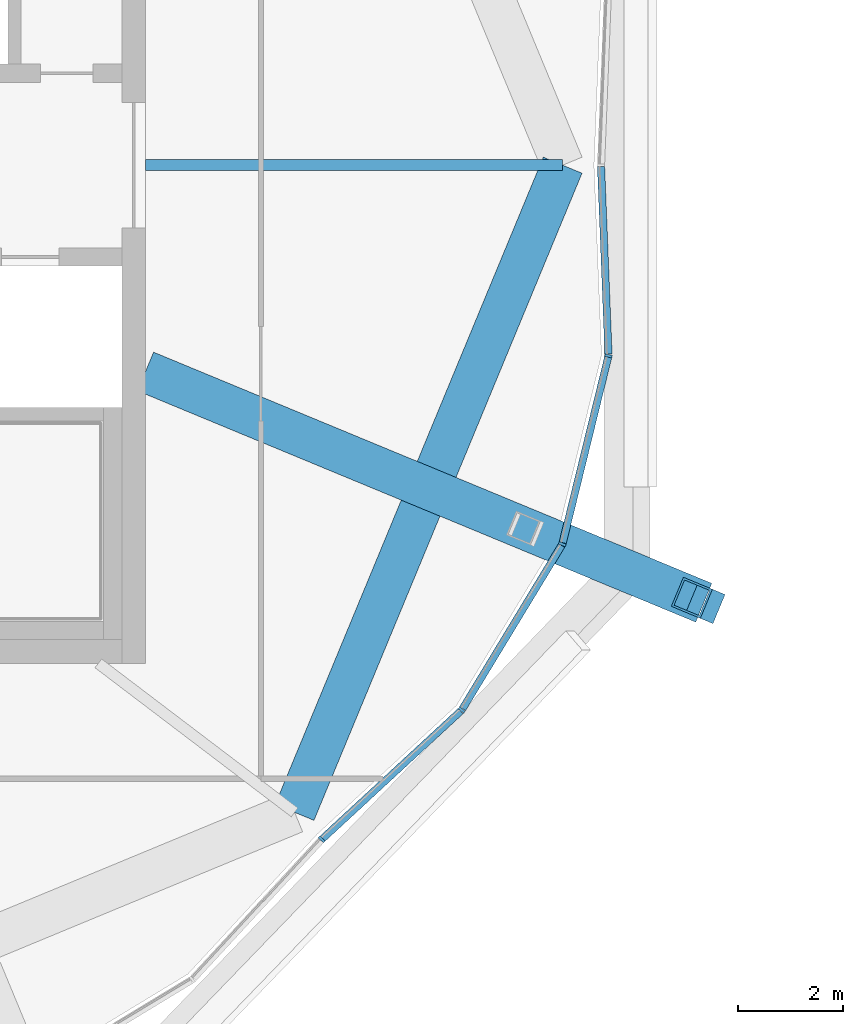
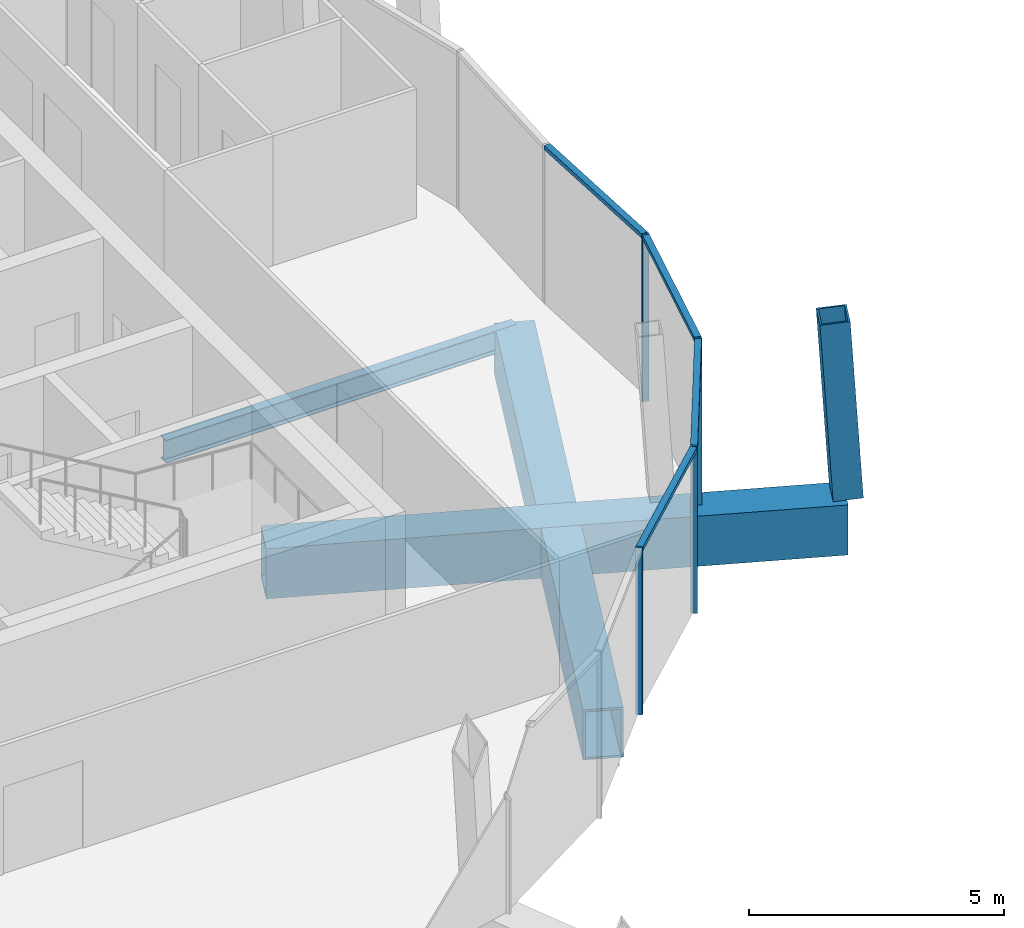
# One storey, part 7 of 34: 9 members, 3 beams, 3 elements without a shape of their own.
"""IFC4 building model written with IfcOpenShell, lengths in metres."""

from ifc_helpers import new_model, si_unit, direction, frame, origin, origin_2d, place, context, subcontext, project, spatial, rectangle, hollow_rectangle, i_section, extrude, material, material_profile, profile_set, type_object, element, aggregate, save


model = new_model("IFC4")

# Units and contexts
model_context = context("Model", 3, precision=1e-05, world=origin(), true_north=direction((0.0, 1.0)))
body_context = subcontext(model_context, "Body", "Model", "MODEL_VIEW")
ifc_project = project(units=[si_unit("LENGTHUNIT", "METRE"), si_unit("AREAUNIT", "SQUARE_METRE"), si_unit("VOLUMEUNIT", "CUBIC_METRE"), si_unit("PLANEANGLEUNIT", "RADIAN"), si_unit("MASSUNIT", "GRAM", prefix="KILO")], contexts=[model_context])

# Site, building, storey
site_placement = place(None, origin())
site = spatial("IfcSite", under=ifc_project, at=site_placement, CompositionType="ELEMENT")
building_placement = place(site_placement, origin())
building = spatial("IfcBuilding", under=site, at=building_placement, Name="Ogive Gate Towers", CompositionType="ELEMENT")
storey_placement = place(building_placement, frame((0.0, 0.0, 294.0)))
storey = spatial("IfcBuildingStorey", under=building, at=storey_placement, Name="L69", CompositionType="ELEMENT", Elevation=294.0)

# Curtain wall, member
ifc_material_1 = material(Name="Pale metal aluminium", Category="aluminium")
curtain_wall_type = type_object("IfcCurtainWallType", Name="Crown lean wall", PredefinedType="NOTDEFINED", material=ifc_material_1)
curtain_wall_1_placement = place(storey_placement, origin())
curtain_wall_1 = element("IfcCurtainWall", 1, at=curtain_wall_1_placement, inside=storey, type_object=curtain_wall_type, Name="CW5 T1 ECW07", PredefinedType="NOTDEFINED")
ifc_material_profile_1 = material_profile(ifc_material_1, rectangle(XDim=0.139892578125, YDim=0.050048828125, at=origin_2d()), Name="50 x 140 aluminium box")
ifc_profile_set_1 = profile_set([ifc_material_profile_1], Name="Pale metal aluminium")
member_type_1 = type_object("IfcMemberType", Name="Crown lean wall mullion 50 x 140", PredefinedType="MULLION", material=ifc_profile_set_1)
member_1_placement = place(storey_placement, frame((-23.140380859375, -12.85791015625, -0.300048828125), z_axis=(0.0, 0.0, 1.0), x_axis=(-0.734547567907, 0.678557197649, 0.0)))
member_1 = element("IfcMember", 2, at=member_1_placement, type_object=member_type_1, Name="CW5 mullion", PredefinedType="MULLION", context=body_context, shape_type="SweptSolid", body=[
    extrude(rectangle(XDim=0.139892578125, YDim=0.050048828125, at=origin_2d()), origin(), (0.0, 0.0, 1.0), 4.0),
])
aggregate(curtain_wall_1, [member_1])

# Curtain wall, members
curtain_wall_2_placement = place(storey_placement, origin())
curtain_wall_2 = element("IfcCurtainWall", 3, at=curtain_wall_2_placement, inside=storey, type_object=curtain_wall_type, Name="CW5 T1 ECW08", PredefinedType="NOTDEFINED")
member_2_placement = place(storey_placement, frame((-17.671875, -3.63720703125, -0.300048828125), z_axis=(0.0, 0.0, 1.0), x_axis=(-0.971296419497, 0.237872372235, 0.0)))
member_2 = element("IfcMember", 4, at=member_2_placement, type_object=member_type_1, Name="CW5 mullion", PredefinedType="MULLION", context=body_context, shape_type="SweptSolid", body=[
    extrude(rectangle(XDim=0.139892578125, YDim=0.050048828125, at=origin_2d()), origin(), (0.0, 0.0, 1.0), 4.0),
])
member_3_placement = place(storey_placement, frame((-18.551513671875, -7.227294921875, -0.300048828125), z_axis=(0.0, 0.0, 1.0), x_axis=(-0.923879532511, 0.382683432365, 0.0)))
member_3 = element("IfcMember", 5, at=member_3_placement, type_object=member_type_1, Name="CW5 mullion", PredefinedType="MULLION", context=body_context, shape_type="SweptSolid", body=[
    extrude(rectangle(XDim=0.139892578125, YDim=0.050048828125, at=origin_2d()), origin(), (0.0, 0.0, 1.0), 4.0),
])
member_4_placement = place(storey_placement, frame((-20.470703125, -10.3916015625, -0.300048828125), z_axis=(0.0, 0.0, 1.0), x_axis=(-0.77434847103, 0.632759389826, 0.0)))
member_4 = element("IfcMember", 6, at=member_4_placement, type_object=member_type_1, Name="CW5 mullion", PredefinedType="MULLION", context=body_context, shape_type="SweptSolid", body=[
    extrude(rectangle(XDim=0.139892578125, YDim=0.050048828125, at=origin_2d()), origin(), (0.0, 0.0, 1.0), 4.0),
])
ifc_material_profile_2 = material_profile(ifc_material_1, rectangle(XDim=0.139892578125, YDim=0.10009765625, at=origin_2d()), Name="100 x 140 aluminium box")
ifc_profile_set_2 = profile_set([ifc_material_profile_2], Name="Pale metal aluminium")
member_type_2 = type_object("IfcMemberType", Name="Crown lean wall transom 100 x 140", PredefinedType="USERDEFINED", material=ifc_profile_set_2)
member_5_placement = place(storey_placement, frame((-17.677734375, -3.661376953125, 3.64990234375), z_axis=(-0.237911321475, -0.971286879925, 0.0), x_axis=(0.971286879925, -0.237911321475, 0.0)))
member_5 = element("IfcMember", 7, at=member_5_placement, type_object=member_type_2, Name="CW5 transom", ObjectType="TRANSOM", PredefinedType="USERDEFINED", context=body_context, shape_type="SweptSolid", body=[
    extrude(rectangle(XDim=0.139892578125, YDim=0.10009765625, at=origin_2d()), origin(), (0.0, 0.0, 1.0), 3.641845703125),
])
member_6_placement = place(storey_placement, frame((-18.56640625, -7.252685546875, 3.64990234375), z_axis=(-0.518629997302, -0.854998787074, 0.0), x_axis=(0.854998787074, -0.518629997302, 0.0)))
member_6 = element("IfcMember", 8, at=member_6_placement, type_object=member_type_2, Name="CW5 transom", ObjectType="TRANSOM", PredefinedType="USERDEFINED", context=body_context, shape_type="SweptSolid", body=[
    extrude(rectangle(XDim=0.139892578125, YDim=0.10009765625, at=origin_2d()), origin(), (0.0, 0.0, 1.0), 3.64208984375),
])
member_7_placement = place(storey_placement, frame((-20.491943359375, -10.41162109375, 3.64990234375), z_axis=(-0.734557828346, -0.678546090414, 0.0), x_axis=(0.678546090414, -0.734557828346, 0.0)))
member_7 = element("IfcMember", 9, at=member_7_placement, type_object=member_type_2, Name="CW5 transom", ObjectType="TRANSOM", PredefinedType="USERDEFINED", context=body_context, shape_type="SweptSolid", body=[
    extrude(rectangle(XDim=0.139892578125, YDim=0.10009765625, at=origin_2d()), origin(), (0.0, 0.0, 1.0), 3.582763671875),
])
aggregate(curtain_wall_2, [member_2, member_3, member_5, member_4, member_6, member_7])

# Curtain wall, member
curtain_wall_3_placement = place(storey_placement, origin())
curtain_wall_3 = element("IfcCurtainWall", 10, at=curtain_wall_3_placement, inside=storey, type_object=curtain_wall_type, Name="CW5 T1 ECW08b", PredefinedType="NOTDEFINED")
member_8_placement = place(storey_placement, frame((-17.81396484375, -0.023681640625, 3.64990234375), z_axis=(0.039589778104, -0.99921601742, 0.0), x_axis=(0.99921601742, 0.039589778104, 0.0)))
member_8 = element("IfcMember", 11, at=member_8_placement, type_object=member_type_2, Name="CW5 transom", ObjectType="TRANSOM", PredefinedType="USERDEFINED", context=body_context, shape_type="SweptSolid", body=[
    extrude(rectangle(XDim=0.139892578125, YDim=0.10009765625, at=origin_2d()), origin(), (0.0, 0.0, 1.0), 3.5830078125),
])
aggregate(curtain_wall_3, [member_8])

# Member
ifc_material_2 = material(Name="Steel SM460", Category="steel")
ifc_material_profile_3 = material_profile(ifc_material_2, hollow_rectangle(XDim=0.60009765625, YDim=0.60009765625, WallThickness=0.0400390625, at=origin_2d()), Name="BX 600x600x40")
ifc_profile_set_3 = profile_set([ifc_material_profile_3], Name="Steel SM460")
member_type_3 = type_object("IfcMemberType", Name="Crown rib BX 600x600x40", PredefinedType="MEMBER", material=ifc_profile_set_3)
member_9_placement = place(storey_placement, frame((-15.840576171875, -8.350341796875, -0.25), z_axis=(-0.056420201971, 0.023393742281, 0.998133003979), x_axis=(-0.3830150227, -0.923742113572, 0.0)))
element("IfcMember", 12, at=member_9_placement, inside=storey, type_object=member_type_3, Name="T1/L69/STR008", PredefinedType="MEMBER", context=body_context, shape_type="SweptSolid", body=[
    extrude(hollow_rectangle(XDim=0.60009765625, YDim=0.60009765625, WallThickness=0.0400390625, at=origin_2d()), origin(), (0.0, 0.0, 1.0), 4.258056640625),
])

# Beams
ifc_material_profile_4 = material_profile(ifc_material_2, hollow_rectangle(XDim=0.800048828125, YDim=1.199951171875, WallThickness=0.050048828125, at=origin_2d()), Name="BX 1200x800x50")
ifc_profile_set_4 = profile_set([ifc_material_profile_4], Name="Steel SM460")
beam_type_1 = type_object("IfcBeamType", Name="Edge girder BX 1200x800x50", PredefinedType="BEAM", material=ifc_profile_set_4)
beam_1_placement = place(storey_placement, frame((-23.657470703125, -12.342529296875, -0.89990234375), z_axis=(0.382690191996, 0.923876732551, 0.0), x_axis=(-0.923876732551, 0.382690191996, 0.0)))
element("IfcBeam", 13, at=beam_1_placement, inside=storey, type_object=beam_type_1, Name="T1/L69/SBM027", PredefinedType="BEAM", context=body_context, shape_type="SweptSolid", body=[
    extrude(hollow_rectangle(XDim=0.800048828125, YDim=1.199951171875, WallThickness=0.050048828125, at=origin_2d()), origin(), (0.0, 0.0, 1.0), 13.359619140625),
])
ifc_material_3 = material(Name="Steel SM355", Category="steel")
ifc_material_profile_5 = material_profile(ifc_material_3, i_section(OverallWidth=0.2099609375, OverallDepth=0.550048828125, WebThickness=0.010986328125, FlangeThickness=0.01708984375, FilletRadius=0.02392578125, at=origin_2d()), Name="IPE 550")
ifc_profile_set_5 = profile_set([ifc_material_profile_5], Name="Steel SM355")
beam_type_2 = type_object("IfcBeamType", Name="Radial floor beam IPE 550", PredefinedType="BEAM", material=ifc_profile_set_5)
beam_2_placement = place(storey_placement, frame((-26.5, 0.0, -0.574951171875), z_axis=(1.0, 0.0, 0.0), x_axis=(0.0, 1.0, 0.0)))
element("IfcBeam", 14, at=beam_2_placement, inside=storey, type_object=beam_type_2, Name="T1/L69/SBM015", PredefinedType="BEAM", context=body_context, shape_type="SweptSolid", body=[
    extrude(i_section(OverallWidth=0.2099609375, OverallDepth=0.550048828125, WebThickness=0.010986328125, FlangeThickness=0.01708984375, FilletRadius=0.02392578125, at=origin_2d()), origin(), (0.0, 0.0, 1.0), 7.955078125),
])
ifc_material_profile_6 = material_profile(ifc_material_2, hollow_rectangle(XDim=0.800048828125, YDim=1.199951171875, WallThickness=0.050048828125, at=origin_2d()), Name="BX 1200x800x50")
ifc_profile_set_6 = profile_set([ifc_material_profile_6], Name="Steel SM460")
beam_type_3 = type_object("IfcBeamType", Name="Transfer radial beam BX 1200x800x50", PredefinedType="BEAM", material=ifc_profile_set_6)
beam_3_placement = place(storey_placement, frame((-26.5, -3.93505859375, -0.89990234375), z_axis=(0.923879187615, -0.382684265017, 0.0), x_axis=(0.382684265017, 0.923879187615, 0.0)))
element("IfcBeam", 15, at=beam_3_placement, inside=storey, type_object=beam_type_3, Name="T1/L69/SBM014", PredefinedType="BEAM", context=body_context, shape_type="SweptSolid", body=[
    extrude(hollow_rectangle(XDim=0.800048828125, YDim=1.199951171875, WallThickness=0.050048828125, at=origin_2d()), origin(), (0.0, 0.0, 1.0), 11.5224609375),
])

save(model, "model.ifc")
